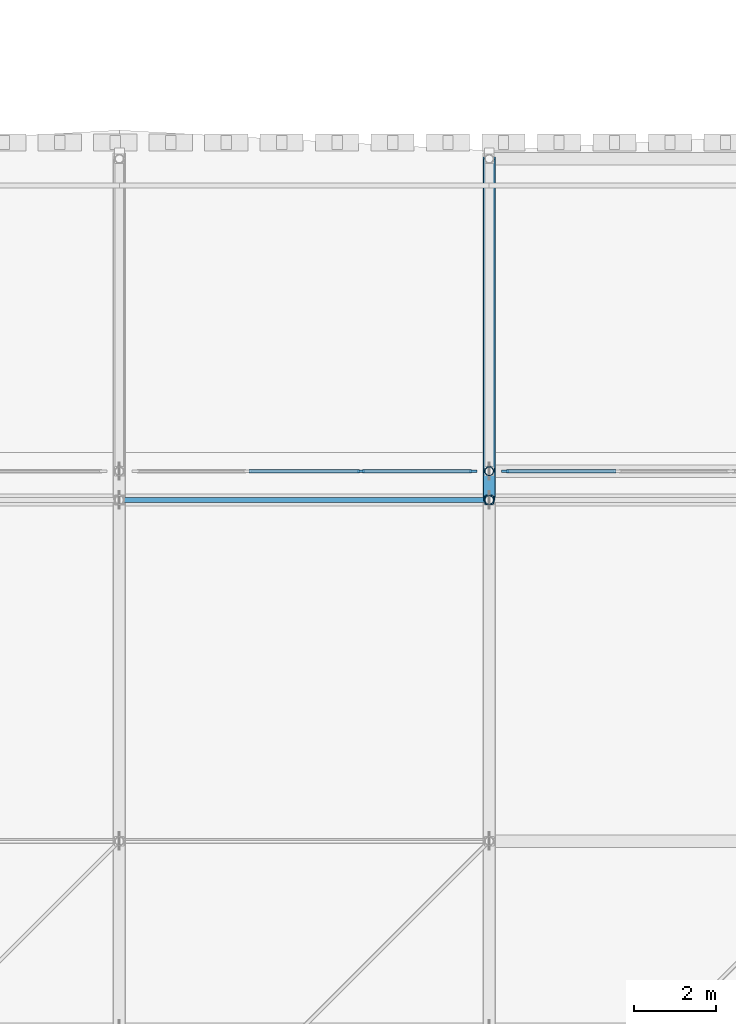
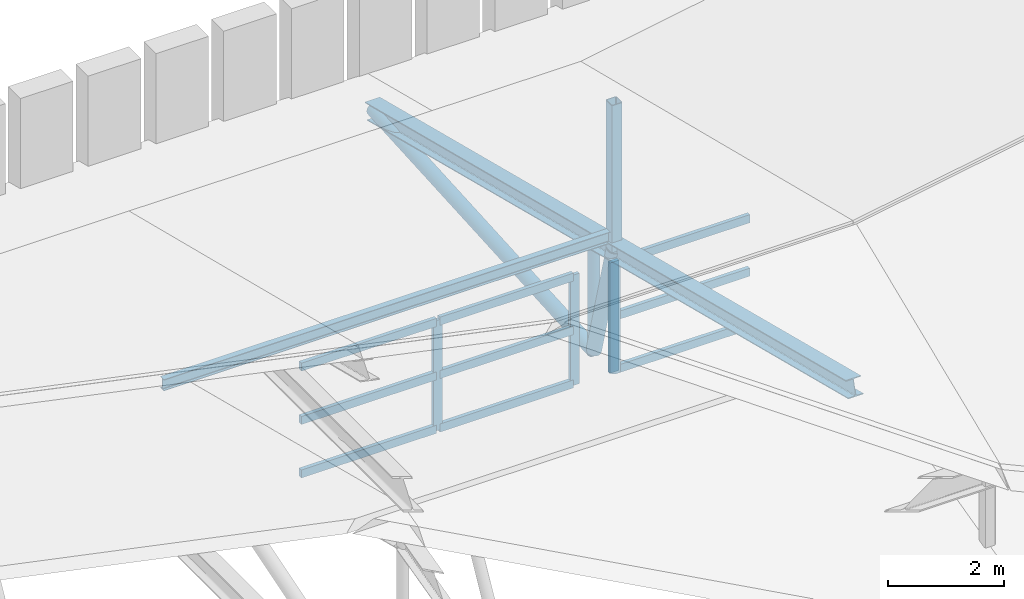
# One storey, part 17 of 42: 19 members, 2 elements without a shape of their own.
"""IFC4 building model written with IfcOpenShell, lengths in metres."""

from ifc_helpers import new_model, si_unit, direction, frame, origin, origin_2d, place, context, subcontext, project, spatial, rectangle, hollow_rectangle, hollow_circle, i_section, extrude, material, material_profile, profile_set, type_object, element, aggregate, save


model = new_model("IFC4")

# Units and contexts
model_context = context("Model", 3, precision=1e-05, world=origin(), true_north=direction((0.0, 1.0)))
body_context = subcontext(model_context, "Body", "Model", "MODEL_VIEW")
ifc_project = project(units=[si_unit("LENGTHUNIT", "METRE"), si_unit("AREAUNIT", "SQUARE_METRE"), si_unit("VOLUMEUNIT", "CUBIC_METRE"), si_unit("PLANEANGLEUNIT", "RADIAN"), si_unit("MASSUNIT", "GRAM", prefix="KILO")], contexts=[model_context])

# Site, building, storey
site_placement = place(None, origin())
site = spatial("IfcSite", under=ifc_project, at=site_placement, CompositionType="ELEMENT")
building_placement = place(site_placement, origin())
building = spatial("IfcBuilding", under=site, at=building_placement, Name="Bozkorgan Art Gallery", CompositionType="ELEMENT")
storey_placement = place(building_placement, frame((0.0, 0.0, 28.800048828125)))
storey = spatial("IfcBuildingStorey", under=building, at=storey_placement, Name="RF", CompositionType="ELEMENT", Elevation=28.800048828125)

# Curtain wall, members
ifc_material_1 = material(Name="Anodised Bronze Aluminium", Category="aluminium")
curtain_wall_type = type_object("IfcCurtainWallType", Name="CW-CW-28", PredefinedType="NOTDEFINED", material=ifc_material_1)
curtain_wall_1_placement = place(storey_placement, origin())
curtain_wall_1 = element("IfcCurtainWall", 1, at=curtain_wall_1_placement, inside=storey, type_object=curtain_wall_type, Name="RF unitised curtain wall CW-RF-V1-N-38", PredefinedType="NOTDEFINED")
ifc_material_profile_1 = material_profile(ifc_material_1, rectangle(XDim=0.06494140625, YDim=0.179931640625, at=origin_2d()), Name="ALU MULLION 65x180")
ifc_profile_set_1 = profile_set([ifc_material_profile_1], Name="Anodised Bronze Aluminium")
member_type_1 = type_object("IfcMemberType", Name="CWM-01", PredefinedType="MULLION", material=ifc_profile_set_1)
member_1_placement = place(storey_placement, frame((43.8798828125, 20.0, -0.324951171875), z_axis=(0.0, 0.0, 1.0), x_axis=(0.0, 1.0, 0.0)))
member_1 = element("IfcMember", 2, at=member_1_placement, type_object=member_type_1, Name="CW-28 mullion 3", PredefinedType="MULLION", context=body_context, shape_type="SweptSolid", body=[
    extrude(rectangle(XDim=0.06494140625, YDim=0.179931640625, at=origin_2d()), origin(), (0.0, 0.0, 1.0), 2.324951171875),
])
member_2_placement = place(storey_placement, frame((46.607421875, 20.0, -0.324951171875), z_axis=(0.0, 0.0, 1.0), x_axis=(0.0, 1.0, 0.0)))
member_2 = element("IfcMember", 3, at=member_2_placement, type_object=member_type_1, Name="CW-28 mullion 4", PredefinedType="MULLION", context=body_context, shape_type="SweptSolid", body=[
    extrude(rectangle(XDim=0.06494140625, YDim=0.179931640625, at=origin_2d()), origin(), (0.0, 0.0, 1.0), 2.324951171875),
])

# Curtain wall, member
curtain_wall_2_placement = place(storey_placement, origin())
curtain_wall_2 = element("IfcCurtainWall", 4, at=curtain_wall_2_placement, inside=storey, type_object=curtain_wall_type, Name="RF unitised curtain wall CW-RF-V1-N-47", PredefinedType="NOTDEFINED")
member_3_placement = place(storey_placement, frame((47.392578125, 20.0, -0.324951171875), z_axis=(0.0, 0.0, 1.0), x_axis=(0.0, 1.0, 0.0)))
member_3 = element("IfcMember", 5, at=member_3_placement, type_object=member_type_1, Name="CW-28 mullion 1", PredefinedType="MULLION", context=body_context, shape_type="SweptSolid", body=[
    extrude(rectangle(XDim=0.06494140625, YDim=0.179931640625, at=origin_2d()), origin(), (0.0, 0.0, 1.0), 2.324951171875),
])

# Member
ifc_material_profile_2 = material_profile(ifc_material_1, rectangle(XDim=0.074951171875, YDim=0.169921875, at=origin_2d()), Name="ALU TRANSOM 75x170")
ifc_profile_set_2 = profile_set([ifc_material_profile_2], Name="Anodised Bronze Aluminium")
member_type_2 = type_object("IfcMemberType", Name="CWT-02", PredefinedType="USERDEFINED", material=ifc_profile_set_2)
member_4_placement = place(storey_placement, frame((41.152587890625, 20.0, -0.28759765625), z_axis=(1.0, 0.0, 0.0), x_axis=(0.0, 1.0, 0.0)))
member_4 = element("IfcMember", 6, at=member_4_placement, type_object=member_type_2, Name="CW-28 transom 2.1", ObjectType="TRANSOM", PredefinedType="USERDEFINED", context=body_context, shape_type="SweptSolid", body=[
    extrude(rectangle(XDim=0.074951171875, YDim=0.169921875, at=origin_2d()), origin(), (0.0, 0.0, 1.0), 2.69482421875),
])

member_5_placement = place(storey_placement, frame((41.152587890625, 20.0, 0.837890625), z_axis=(1.0, 0.0, 0.0), x_axis=(0.0, 1.0, 0.0)))
member_5 = element("IfcMember", 7, at=member_5_placement, type_object=member_type_2, Name="CW-28 transom 2.2", ObjectType="TRANSOM", PredefinedType="USERDEFINED", context=body_context, shape_type="SweptSolid", body=[
    extrude(rectangle(XDim=0.074951171875, YDim=0.169921875, at=origin_2d()), origin(), (0.0, 0.0, 1.0), 2.69482421875),
])

member_6_placement = place(storey_placement, frame((41.152587890625, 20.0, 1.96240234375), z_axis=(1.0, 0.0, 0.0), x_axis=(0.0, 1.0, 0.0)))
member_6 = element("IfcMember", 8, at=member_6_placement, type_object=member_type_2, Name="CW-28 transom 2.3", ObjectType="TRANSOM", PredefinedType="USERDEFINED", context=body_context, shape_type="SweptSolid", body=[
    extrude(rectangle(XDim=0.074951171875, YDim=0.169921875, at=origin_2d()), origin(), (0.0, 0.0, 1.0), 2.69482421875),
])

member_7_placement = place(storey_placement, frame((43.91259765625, 20.0, -0.28759765625), z_axis=(1.0, 0.0, 0.0), x_axis=(0.0, 1.0, 0.0)))
member_7 = element("IfcMember", 9, at=member_7_placement, type_object=member_type_2, Name="CW-28 transom 3.1", ObjectType="TRANSOM", PredefinedType="USERDEFINED", context=body_context, shape_type="SweptSolid", body=[
    extrude(rectangle(XDim=0.074951171875, YDim=0.169921875, at=origin_2d()), origin(), (0.0, 0.0, 1.0), 2.662353515625),
])

member_8_placement = place(storey_placement, frame((43.91259765625, 20.0, 0.837890625), z_axis=(1.0, 0.0, 0.0), x_axis=(0.0, 1.0, 0.0)))
member_8 = element("IfcMember", 10, at=member_8_placement, type_object=member_type_2, Name="CW-28 transom 3.2", ObjectType="TRANSOM", PredefinedType="USERDEFINED", context=body_context, shape_type="SweptSolid", body=[
    extrude(rectangle(XDim=0.074951171875, YDim=0.169921875, at=origin_2d()), origin(), (0.0, 0.0, 1.0), 2.662353515625),
])

member_9_placement = place(storey_placement, frame((43.91259765625, 20.0, 1.96240234375), z_axis=(1.0, 0.0, 0.0), x_axis=(0.0, 1.0, 0.0)))
member_9 = element("IfcMember", 11, at=member_9_placement, type_object=member_type_2, Name="CW-28 transom 3.3", ObjectType="TRANSOM", PredefinedType="USERDEFINED", context=body_context, shape_type="SweptSolid", body=[
    extrude(rectangle(XDim=0.074951171875, YDim=0.169921875, at=origin_2d()), origin(), (0.0, 0.0, 1.0), 2.662353515625),
])

aggregate(curtain_wall_1, [member_1, member_2, member_4, member_5, member_6, member_7, member_8, member_9])

member_10_placement = place(storey_placement, frame((47.425048828125, 20.0, -0.28759765625), z_axis=(1.0, 0.0, 0.0), x_axis=(0.0, 1.0, 0.0)))
member_10 = element("IfcMember", 12, at=member_10_placement, type_object=member_type_2, Name="CW-28 transom 1.1", ObjectType="TRANSOM", PredefinedType="USERDEFINED", context=body_context, shape_type="SweptSolid", body=[
    extrude(rectangle(XDim=0.074951171875, YDim=0.169921875, at=origin_2d()), origin(), (0.0, 0.0, 1.0), 2.662353515625),
])

member_11_placement = place(storey_placement, frame((47.425048828125, 20.0, 0.837890625), z_axis=(1.0, 0.0, 0.0), x_axis=(0.0, 1.0, 0.0)))
member_11 = element("IfcMember", 13, at=member_11_placement, type_object=member_type_2, Name="CW-28 transom 1.2", ObjectType="TRANSOM", PredefinedType="USERDEFINED", context=body_context, shape_type="SweptSolid", body=[
    extrude(rectangle(XDim=0.074951171875, YDim=0.169921875, at=origin_2d()), origin(), (0.0, 0.0, 1.0), 2.662353515625),
])

member_12_placement = place(storey_placement, frame((47.425048828125, 20.0, 1.96240234375), z_axis=(1.0, 0.0, 0.0), x_axis=(0.0, 1.0, 0.0)))
member_12 = element("IfcMember", 14, at=member_12_placement, type_object=member_type_2, Name="CW-28 transom 1.3", ObjectType="TRANSOM", PredefinedType="USERDEFINED", context=body_context, shape_type="SweptSolid", body=[
    extrude(rectangle(XDim=0.074951171875, YDim=0.169921875, at=origin_2d()), origin(), (0.0, 0.0, 1.0), 2.662353515625),
])

aggregate(curtain_wall_2, [member_3, member_10, member_11, member_12])

# Members
ifc_material_2 = material(Name="Steel S355J2", Category="steel")
ifc_material_profile_3 = material_profile(ifc_material_2, hollow_rectangle(XDim=0.219970703125, YDim=0.219970703125, WallThickness=0.012451171875, InnerFilletRadius=0.018798828125, OuterFilletRadius=0.03125, at=origin_2d()), Name="SHS 220x220x12.5")
ifc_profile_set_3 = profile_set([ifc_material_profile_3], Name="Steel S355J2")
member_type_3 = type_object("IfcMemberType", Name="MEMBER-CP-34", PredefinedType="POST", material=ifc_profile_set_3)
member_13_placement = place(storey_placement, frame((47.0, 19.300048828125, 2.826904296875), z_axis=(0.0, 0.0, 1.0), x_axis=(1.0, 0.0, 0.0)))
element("IfcMember", 15, at=member_13_placement, inside=storey, type_object=member_type_3, Name="V1 upper clerestory truss post 5N", PredefinedType="POST", context=body_context, shape_type="SweptSolid", body=[
    extrude(hollow_rectangle(XDim=0.219970703125, YDim=0.219970703125, WallThickness=0.012451171875, InnerFilletRadius=0.018798828125, OuterFilletRadius=0.03125, at=origin_2d()), origin(), (0.0, 0.0, 1.0), 3.09814453125),
])
ifc_material_profile_4 = material_profile(ifc_material_2, i_section(OverallWidth=0.1201171875, OverallDepth=0.239990234375, WebThickness=0.006103515625, FlangeThickness=0.009765625, FilletRadius=0.014892578125, at=origin_2d()), Name="IPE 240")
ifc_profile_set_4 = profile_set([ifc_material_profile_4], Name="Steel S355J2")
member_type_4 = type_object("IfcMemberType", Name="MEMBER-PR-34", PredefinedType="PURLIN", material=ifc_profile_set_4)
member_14_placement = place(storey_placement, frame((38.0, 19.300048828125, 3.1220703125), z_axis=(1.0, 0.0, 0.0), x_axis=(0.0, 1.0, 0.0)))
element("IfcMember", 16, at=member_14_placement, inside=storey, type_object=member_type_4, Name="ROOF-V1-MAIN roof purlin 5N", PredefinedType="PURLIN", context=body_context, shape_type="SweptSolid", body=[
    extrude(i_section(OverallWidth=0.1201171875, OverallDepth=0.239990234375, WebThickness=0.006103515625, FlangeThickness=0.009765625, FilletRadius=0.014892578125, at=origin_2d()), origin(), (0.0, 0.0, 1.0), 9.0),
])
ifc_material_profile_5 = material_profile(ifc_material_2, i_section(OverallWidth=0.300048828125, OverallDepth=0.35009765625, WebThickness=0.010009765625, FlangeThickness=0.017578125, FilletRadius=0.027099609375, at=origin_2d()), Name="HEA 360")
ifc_profile_set_5 = profile_set([ifc_material_profile_5], Name="Steel S355J2")
member_type_5 = type_object("IfcMemberType", Name="MEMBER-TC-31", PredefinedType="CHORD", material=ifc_profile_set_5)
member_15_placement = place(storey_placement, frame((47.0, 11.0, 4.92724609375), z_axis=(0.0, 0.969442389879, -0.245319083452), x_axis=(-1.0, 0.0, 0.0)))
element("IfcMember", 17, at=member_15_placement, inside=storey, type_object=member_type_5, Name="ROOF-V1-MAIN roof truss 6 north top chord", PredefinedType="CHORD", context=body_context, shape_type="SweptSolid", body=[
    extrude(i_section(OverallWidth=0.300048828125, OverallDepth=0.35009765625, WebThickness=0.010009765625, FlangeThickness=0.017578125, FilletRadius=0.027099609375, at=origin_2d()), origin(), (0.0, 0.0, 1.0), 17.123291015625),
])
ifc_material_profile_6 = material_profile(ifc_material_2, hollow_circle(Radius=0.109619140625, WallThickness=0.010009765625, at=origin_2d()), Name="CHS 219.1x10")
ifc_profile_set_6 = profile_set([ifc_material_profile_6], Name="Steel S355J2")
member_type_6 = type_object("IfcMemberType", Name="MEMBER-TP-78", PredefinedType="POST", material=ifc_profile_set_6)
member_16_placement = place(storey_placement, frame((47.0, 19.300048828125, 0.25), z_axis=(0.0, 0.0, 1.0), x_axis=(1.0, 0.0, 0.0)))
element("IfcMember", 18, at=member_16_placement, inside=storey, type_object=member_type_6, Name="ROOF-V1-MAIN roof truss 6 post 3", PredefinedType="POST", context=body_context, shape_type="SweptSolid", body=[
    extrude(hollow_circle(Radius=0.109619140625, WallThickness=0.010009765625, at=origin_2d()), origin(), (0.0, 0.0, 1.0), 2.576904296875),
])
member_17_placement = place(storey_placement, frame((47.0, 20.0, 0.25), z_axis=(0.0, 0.0, 1.0), x_axis=(1.0, 0.0, 0.0)))
element("IfcMember", 19, at=member_17_placement, inside=storey, type_object=member_type_6, Name="ROOF-V1-MAIN roof truss 6 post 4", PredefinedType="POST", context=body_context, shape_type="SweptSolid", body=[
    extrude(hollow_circle(Radius=0.109619140625, WallThickness=0.010009765625, at=origin_2d()), origin(), (0.0, 0.0, 1.0), 2.39990234375),
])
ifc_material_profile_7 = material_profile(ifc_material_2, hollow_circle(Radius=0.136474609375, WallThickness=0.012451171875, at=origin_2d()), Name="CHS 273x12.5")
ifc_profile_set_7 = profile_set([ifc_material_profile_7], Name="Steel S355J2")
member_type_7 = type_object("IfcMemberType", Name="MEMBER-TW-28", PredefinedType="BRACE", material=ifc_profile_set_7)
member_18_placement = place(storey_placement, frame((47.0, 19.300048828125, 2.826904296875), z_axis=(0.0, 0.262127020499, -0.965033380316), x_axis=(-1.0, 0.0, 0.0)))
element("IfcMember", 20, at=member_18_placement, inside=storey, type_object=member_type_7, Name="ROOF-V1-MAIN roof truss 6 diagonal 4", PredefinedType="BRACE", context=body_context, shape_type="SweptSolid", body=[
    extrude(hollow_circle(Radius=0.136474609375, WallThickness=0.012451171875, at=origin_2d()), origin(), (0.0, 0.0, 1.0), 2.670166015625),
])
member_19_placement = place(storey_placement, frame((47.0, 20.0, 0.25), z_axis=(0.0, 0.998039833362, 0.062581874549), x_axis=(-1.0, 0.0, 0.0)))
element("IfcMember", 21, at=member_19_placement, inside=storey, type_object=member_type_7, Name="ROOF-V1-MAIN roof truss 6 diagonal 5", PredefinedType="BRACE", context=body_context, shape_type="SweptSolid", body=[
    extrude(hollow_circle(Radius=0.136474609375, WallThickness=0.012451171875, at=origin_2d()), origin(), (0.0, 0.0, 1.0), 7.614990234375),
])

save(model, "model.ifc")
